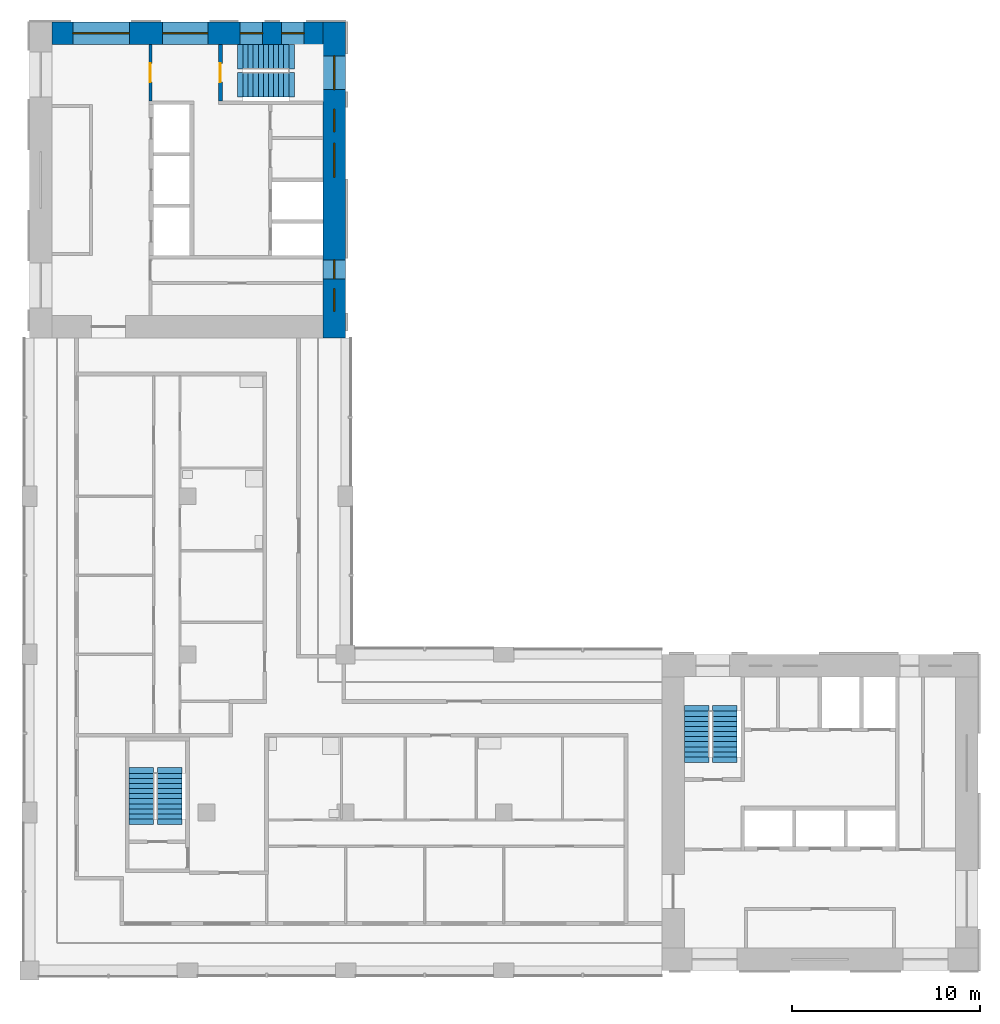
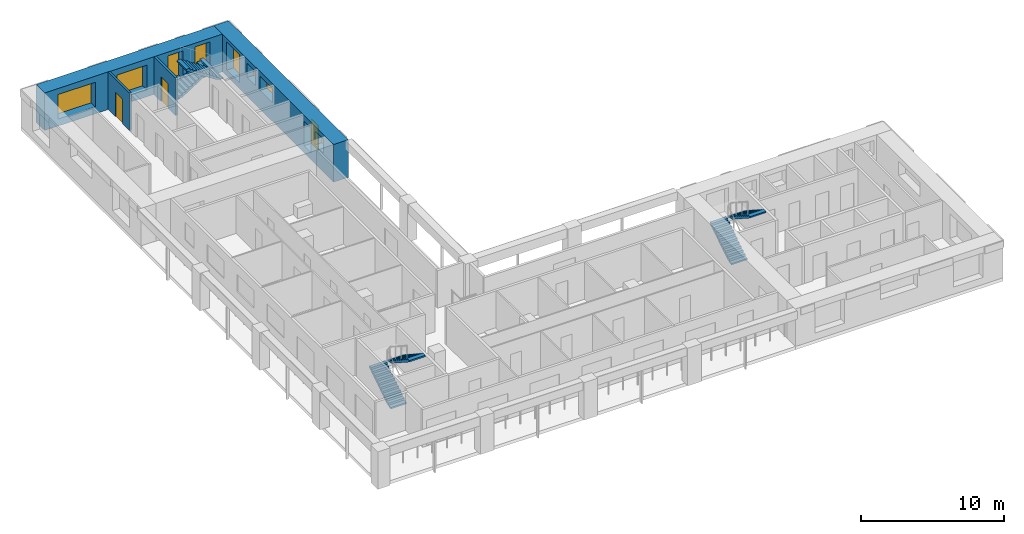
# One storey, part 6 of 9: 9 windows, 6 stair flights, 4 walls, 2 doors, 11 openings, 3 elements without a shape of their own.
"""IFC4 building model written with IfcOpenShell, lengths in metres."""

from ifc_helpers import new_model, si_unit, direction, frame, frame_2d, origin, place, context, subcontext, project, spatial, polyline, rectangle, outline, extrude, material, layer, layer_set, type_object, element, fill, aggregate, save


model = new_model("IFC4")

# Units and contexts
model_context = context("Model", 3, precision=1e-05, world=origin(), true_north=direction((0.0, 1.0)))
body_context = subcontext(model_context, "Body", "Model", "MODEL_VIEW")
ifc_project = project(units=[si_unit("LENGTHUNIT", "METRE"), si_unit("AREAUNIT", "SQUARE_METRE"), si_unit("VOLUMEUNIT", "CUBIC_METRE"), si_unit("PLANEANGLEUNIT", "RADIAN"), si_unit("MASSUNIT", "GRAM", prefix="KILO")], contexts=[model_context])

# Site, building, storey
site_placement = place(None, origin())
site = spatial("IfcSite", under=ifc_project, at=site_placement, CompositionType="ELEMENT")
building_placement = place(site_placement, origin())
building = spatial("IfcBuilding", under=site, at=building_placement, Name="Vermilion Gate Residences", CompositionType="ELEMENT")
storey_placement = place(building_placement, frame((0.0, 0.0, 252.699951171875)))
storey = spatial("IfcBuildingStorey", under=building, at=storey_placement, Name="L66", CompositionType="ELEMENT", Elevation=252.699951171875)

# Wall, opening, door
ifc_material_1 = material(Name="Masonry blockwork", Category="masonry")
ifc_layer_1 = layer(ifc_material_1, 0.14990234375)
ifc_layer_set_1 = layer_set([ifc_layer_1], Name="BLOCKWORK PARTITION 150 EI 120")
wall_type_1 = type_object("IfcWallType", Name="BLOCKWORK PARTITION 150 EI 120", PredefinedType="PARTITIONING", material=ifc_layer_set_1)
wall_1_placement = place(storey_placement, frame((14.824951171875, 57.60009765625, 0.0), z_axis=(0.0, 0.0, 1.0), x_axis=(0.0, -1.0, 0.0)))
wall_1 = element("IfcWall", 1, at=wall_1_placement, inside=storey, type_object=wall_type_1, Name="Core room partition B66-VW-S", PredefinedType="PARTITIONING", context=body_context, shape_type="SweptSolid", body=[
    extrude(rectangle(XDim=3.0, YDim=0.14990234375, at=frame_2d((1.5, 0.0))), origin(), (0.0, 0.0, 1.0), 3.219970703125),
])
opening_1_placement = place(wall_1_placement, frame((1.0, 0.0, 0.0)))
opening_1 = element("IfcOpeningElement", 2, at=opening_1_placement, cuts=wall_1, Name="Opening DK66110", PredefinedType="OPENING", context=body_context, shape_type="SweptSolid", body=[
    extrude(rectangle(XDim=1.0, YDim=2.10009765625, at=frame_2d((0.5, 1.050048828125))), frame((0.0, 0.0849609375, 0.0), z_axis=(0.0, -1.0, 0.0), x_axis=(1.0, 0.0, 0.0)), (0.0, 0.0, 1.0), 0.169921875),
])
ifc_material_2 = material(Name="Steel", Category="steel")
door_type = type_object("IfcDoorType", Name="FIRE DOOR FD60 1000 X 2100", OperationType="SINGLE_SWING_LEFT", PredefinedType="DOOR", material=ifc_material_2)
door_1_placement = place(opening_1_placement, frame((1.0, 0.0, 0.0), z_axis=(0.0, 0.0, 1.0), x_axis=(-1.0, 0.0, 0.0)))
door_1 = element("IfcDoor", 3, at=door_1_placement, inside=storey, type_object=door_type, Name="Stair vestibule door B66", OperationType="SINGLE_SWING_RIGHT", OverallHeight=2.10009765625, OverallWidth=1.0, PredefinedType="DOOR", context=body_context, shape_type="SweptSolid", body=[
    extrude(rectangle(XDim=1.0, YDim=2.10009765625, at=frame_2d((0.5, 1.050048828125))), frame((0.0, 0.02490234375, 0.0), z_axis=(0.0, -1.0, 0.0), x_axis=(1.0, 0.0, 0.0)), (0.0, 0.0, 1.0), 0.050048828125),
])
fill(opening_1, door_1)

ifc_material_3 = material(Name="Concrete C60", Category="concrete")
ifc_layer_2 = layer(ifc_material_3, 0.199951171875)
ifc_layer_set_2 = layer_set([ifc_layer_2], Name="RC CORE INTERNAL WALL 200 C60")
wall_type_2 = type_object("IfcWallType", Name="RC CORE INTERNAL WALL 200 C60", PredefinedType="SHEAR", material=ifc_layer_set_2)
wall_2_placement = place(storey_placement, frame((18.550048828125, 57.60009765625, 0.0), z_axis=(0.0, 0.0, 1.0), x_axis=(0.0, -1.0, 0.0)))
wall_2 = element("IfcWall", 4, at=wall_2_placement, inside=storey, type_object=wall_type_2, Name="Core internal wall B66-STW-S", PredefinedType="SHEAR", context=body_context, shape_type="SweptSolid", body=[
    extrude(rectangle(XDim=3.0, YDim=0.199951171875, at=frame_2d((1.5, 0.0))), origin(), (0.0, 0.0, 1.0), 3.219970703125),
])
opening_2_placement = place(wall_2_placement, frame((1.0, 0.0, 0.0)))
opening_2 = element("IfcOpeningElement", 5, at=opening_2_placement, cuts=wall_2, Name="Opening DK66111", PredefinedType="OPENING", context=body_context, shape_type="SweptSolid", body=[
    extrude(rectangle(XDim=1.0, YDim=2.10009765625, at=frame_2d((0.5, 1.050048828125))), frame((0.0, 0.10986328125, 0.0), z_axis=(0.0, -1.0, 0.0), x_axis=(1.0, 0.0, 0.0)), (0.0, 0.0, 1.0), 0.219970703125),
])
door_2_placement = place(opening_2_placement, origin())
door_2 = element("IfcDoor", 6, at=door_2_placement, inside=storey, type_object=door_type, Name="Stair door B66", OperationType="SINGLE_SWING_LEFT", OverallHeight=2.10009765625, OverallWidth=1.0, PredefinedType="DOOR", context=body_context, shape_type="SweptSolid", body=[
    extrude(rectangle(XDim=1.0, YDim=2.10009765625, at=frame_2d((0.5, 1.050048828125))), frame((0.0, 0.02490234375, 0.0), z_axis=(0.0, -1.0, 0.0), x_axis=(1.0, 0.0, 0.0)), (0.0, 0.0, 1.0), 0.050048828125),
])
fill(opening_2, door_2)

# Wall, openings, windows
ifc_material_4 = material(Name="Concrete C50 red-oxide pigmented", Category="concrete")
ifc_layer_3 = layer(ifc_material_4, 1.199951171875)
ifc_layer_set_3 = layer_set([ifc_layer_3], Name="RC CORE WALL 1200 C50 RED OXIDE")
wall_type_3 = type_object("IfcWallType", Name="RC CORE WALL 1200 C50 RED OXIDE", PredefinedType="SHEAR", material=ifc_layer_set_3)
wall_3_placement = place(storey_placement, frame((24.60009765625, 58.800048828125, 0.0), z_axis=(0.0, 0.0, 1.0), x_axis=(0.0, -1.0, 0.0)))
wall_3 = element("IfcWall", 7, at=wall_3_placement, inside=storey, type_object=wall_type_3, Name="Core wall B66-OUT-B1", PredefinedType="SHEAR", context=body_context, shape_type="SweptSolid", body=[
    extrude(rectangle(XDim=16.800048828125, YDim=1.199951171875, at=frame_2d((8.39990234375, 0.0))), origin(), (0.0, 0.0, 1.0), 3.219970703125),
])
opening_3_placement = place(wall_3_placement, frame((1.800048828125, 0.0, 0.5)))
opening_3 = element("IfcOpeningElement", 8, at=opening_3_placement, cuts=wall_3, Name="Opening WKB6604", PredefinedType="OPENING", context=body_context, shape_type="SweptSolid", body=[
    extrude(rectangle(XDim=1.800048828125, YDim=2.39990234375, at=frame_2d((0.89990234375, 1.199951171875))), frame((0.0, 0.60986328125, 0.0), z_axis=(0.0, -1.0, 0.0), x_axis=(1.0, 0.0, 0.0)), (0.0, 0.0, 1.0), 1.219970703125),
])
opening_4_placement = place(wall_3_placement, frame((4.643798828125, 0.0, 1.60009765625)))
opening_4 = element("IfcOpeningElement", 9, at=opening_4_placement, cuts=wall_3, Name="Opening WKB6605", PredefinedType="OPENING", context=body_context, shape_type="SweptSolid", body=[
    extrude(rectangle(XDim=1.199951171875, YDim=1.199951171875, at=frame_2d((0.60009765625, 0.60009765625))), frame((0.0, 0.60986328125, 0.0), z_axis=(0.0, -1.0, 0.0), x_axis=(1.0, 0.0, 0.0)), (0.0, 0.0, 1.0), 1.219970703125),
])
opening_5_placement = place(wall_3_placement, frame((6.449951171875, 0.0, 1.60009765625)))
opening_5 = element("IfcOpeningElement", 10, at=opening_5_placement, cuts=wall_3, Name="Opening WKB6606", PredefinedType="OPENING", context=body_context, shape_type="SweptSolid", body=[
    extrude(rectangle(XDim=1.800048828125, YDim=1.199951171875, at=frame_2d((0.89990234375, 0.60009765625))), frame((0.0, 0.60986328125, 0.0), z_axis=(0.0, -1.0, 0.0), x_axis=(1.0, 0.0, 0.0)), (0.0, 0.0, 1.0), 1.219970703125),
])
opening_6_placement = place(wall_3_placement, frame((12.64990234375, 0.0, 0.60009765625)))
opening_6 = element("IfcOpeningElement", 11, at=opening_6_placement, cuts=wall_3, Name="Opening WKB6607", PredefinedType="OPENING", context=body_context, shape_type="SweptSolid", body=[
    extrude(rectangle(XDim=1.0, YDim=2.10009765625, at=frame_2d((0.5, 1.050048828125))), frame((0.0, 0.60986328125, 0.0), z_axis=(0.0, -1.0, 0.0), x_axis=(1.0, 0.0, 0.0)), (0.0, 0.0, 1.0), 1.219970703125),
])
opening_7_placement = place(wall_3_placement, frame((14.175048828125, 0.0, 1.60009765625)))
opening_7 = element("IfcOpeningElement", 12, at=opening_7_placement, cuts=wall_3, Name="Opening WKB6608", PredefinedType="OPENING", context=body_context, shape_type="SweptSolid", body=[
    extrude(rectangle(XDim=1.199951171875, YDim=1.199951171875, at=frame_2d((0.60009765625, 0.60009765625))), frame((0.0, 0.60986328125, 0.0), z_axis=(0.0, -1.0, 0.0), x_axis=(1.0, 0.0, 0.0)), (0.0, 0.0, 1.0), 1.219970703125),
])
ifc_material_5 = material(Name="Aluminium and clear glass", Category="aluminium")
window_type_1 = type_object("IfcWindowType", Name="CORE CORRIDOR WINDOW 1000 X 2100", PartitioningType="SINGLE_PANEL", PredefinedType="WINDOW", material=ifc_material_5)
window_1_placement = place(opening_6_placement, origin())
window_1 = element("IfcWindow", 13, at=window_1_placement, inside=storey, type_object=window_type_1, Name="Core corridor window", OverallHeight=2.10009765625, OverallWidth=1.0, PartitioningType="SINGLE_PANEL", PredefinedType="WINDOW", context=body_context, shape_type="SweptSolid", body=[
    extrude(rectangle(XDim=1.0, YDim=2.10009765625, at=frame_2d((0.5, 1.050048828125))), frame((0.0, 0.030029296875, 0.0), z_axis=(0.0, -1.0, 0.0), x_axis=(1.0, 0.0, 0.0)), (0.0, 0.0, 1.0), 0.06005859375),
])
fill(opening_6, window_1)
ifc_material_6 = material(Name="Aluminium frame with louvre blades", Category="aluminium")
window_type_2 = type_object("IfcWindowType", Name="CORE LOUVRE 1200 X 1200", PartitioningType="SINGLE_PANEL", PredefinedType="WINDOW", material=ifc_material_6)
window_2_placement = place(opening_4_placement, origin())
window_2 = element("IfcWindow", 14, at=window_2_placement, inside=storey, type_object=window_type_2, Name="Core louvre", OverallHeight=1.199951171875, OverallWidth=1.199951171875, PartitioningType="SINGLE_PANEL", PredefinedType="WINDOW", context=body_context, shape_type="SweptSolid", body=[
    extrude(rectangle(XDim=1.199951171875, YDim=1.199951171875, at=frame_2d((0.60009765625, 0.60009765625))), frame((0.0, 0.030029296875, 0.0), z_axis=(0.0, -1.0, 0.0), x_axis=(1.0, 0.0, 0.0)), (0.0, 0.0, 1.0), 0.06005859375),
])
fill(opening_4, window_2)
window_3_placement = place(opening_7_placement, origin())
window_3 = element("IfcWindow", 15, at=window_3_placement, inside=storey, type_object=window_type_2, Name="Core louvre", OverallHeight=1.199951171875, OverallWidth=1.199951171875, PartitioningType="SINGLE_PANEL", PredefinedType="WINDOW", context=body_context, shape_type="SweptSolid", body=[
    extrude(rectangle(XDim=1.199951171875, YDim=1.199951171875, at=frame_2d((0.60009765625, 0.60009765625))), frame((0.0, 0.030029296875, 0.0), z_axis=(0.0, -1.0, 0.0), x_axis=(1.0, 0.0, 0.0)), (0.0, 0.0, 1.0), 0.06005859375),
])
fill(opening_7, window_3)
ifc_material_7 = material(Name="Aluminium frame with louvre blades", Category="aluminium")
window_type_3 = type_object("IfcWindowType", Name="CORE LOUVRE 1800 X 1200", PartitioningType="SINGLE_PANEL", PredefinedType="WINDOW", material=ifc_material_7)
window_4_placement = place(opening_5_placement, origin())
window_4 = element("IfcWindow", 16, at=window_4_placement, inside=storey, type_object=window_type_3, Name="Core louvre", OverallHeight=1.199951171875, OverallWidth=1.800048828125, PartitioningType="SINGLE_PANEL", PredefinedType="WINDOW", context=body_context, shape_type="SweptSolid", body=[
    extrude(rectangle(XDim=1.800048828125, YDim=1.199951171875, at=frame_2d((0.89990234375, 0.60009765625))), frame((0.0, 0.030029296875, 0.0), z_axis=(0.0, -1.0, 0.0), x_axis=(1.0, 0.0, 0.0)), (0.0, 0.0, 1.0), 0.06005859375),
])
fill(opening_5, window_4)
ifc_material_8 = material(Name="Aluminium and clear glass", Category="aluminium")
window_type_4 = type_object("IfcWindowType", Name="CORE STAIR WINDOW 1800 X 2400", PartitioningType="SINGLE_PANEL", PredefinedType="WINDOW", material=ifc_material_8)
window_5_placement = place(opening_3_placement, origin())
window_5 = element("IfcWindow", 17, at=window_5_placement, inside=storey, type_object=window_type_4, Name="Core stair window", OverallHeight=2.39990234375, OverallWidth=1.800048828125, PartitioningType="SINGLE_PANEL", PredefinedType="WINDOW", context=body_context, shape_type="SweptSolid", body=[
    extrude(rectangle(XDim=1.800048828125, YDim=2.39990234375, at=frame_2d((0.89990234375, 1.199951171875))), frame((0.0, 0.030029296875, 0.0), z_axis=(0.0, -1.0, 0.0), x_axis=(1.0, 0.0, 0.0)), (0.0, 0.0, 1.0), 0.06005859375),
])
fill(opening_3, window_5)

wall_4_placement = place(storey_placement, frame((9.60009765625, 58.199951171875, 0.0), z_axis=(0.0, 0.0, 1.0), x_axis=(1.0, 0.0, 0.0)))
wall_4 = element("IfcWall", 18, at=wall_4_placement, inside=storey, type_object=wall_type_3, Name="Core wall B66-OUT-FR", PredefinedType="SHEAR", context=body_context, shape_type="SweptSolid", body=[
    extrude(rectangle(XDim=14.39990234375, YDim=1.199951171875, at=frame_2d((7.199951171875, 0.0))), origin(), (0.0, 0.0, 1.0), 3.219970703125),
])
opening_8_placement = place(wall_4_placement, frame((1.10498046875, 0.0, 0.60009765625)))
opening_8 = element("IfcOpeningElement", 19, at=opening_8_placement, cuts=wall_4, Name="Opening WKB6609", PredefinedType="OPENING", context=body_context, shape_type="SweptSolid", body=[
    extrude(rectangle(XDim=3.0, YDim=2.10009765625, at=frame_2d((1.5, 1.050048828125))), frame((0.0, 0.60986328125, 0.0), z_axis=(0.0, -1.0, 0.0), x_axis=(1.0, 0.0, 0.0)), (0.0, 0.0, 1.0), 1.219970703125),
])
opening_9_placement = place(wall_4_placement, frame((5.875, 0.0, 0.60009765625)))
opening_9 = element("IfcOpeningElement", 20, at=opening_9_placement, cuts=wall_4, Name="Opening WKB6610", PredefinedType="OPENING", context=body_context, shape_type="SweptSolid", body=[
    extrude(rectangle(XDim=2.39990234375, YDim=2.10009765625, at=frame_2d((1.199951171875, 1.050048828125))), frame((0.0, 0.60986328125, 0.0), z_axis=(0.0, -1.0, 0.0), x_axis=(1.0, 0.0, 0.0)), (0.0, 0.0, 1.0), 1.219970703125),
])
opening_10_placement = place(wall_4_placement, frame((9.993408203125, 0.0, 0.5)))
opening_10 = element("IfcOpeningElement", 21, at=opening_10_placement, cuts=wall_4, Name="Opening WKB6611", PredefinedType="OPENING", context=body_context, shape_type="SweptSolid", body=[
    extrude(rectangle(XDim=1.199951171875, YDim=2.39990234375, at=frame_2d((0.60009765625, 1.199951171875))), frame((0.0, 0.60986328125, 0.0), z_axis=(0.0, -1.0, 0.0), x_axis=(1.0, 0.0, 0.0)), (0.0, 0.0, 1.0), 1.219970703125),
])
opening_11_placement = place(wall_4_placement, frame((12.19677734375, 0.0, 0.5)))
opening_11 = element("IfcOpeningElement", 22, at=opening_11_placement, cuts=wall_4, Name="Opening WKB6612", PredefinedType="OPENING", context=body_context, shape_type="SweptSolid", body=[
    extrude(rectangle(XDim=1.199951171875, YDim=2.39990234375, at=frame_2d((0.60009765625, 1.199951171875))), frame((0.0, 0.60986328125, 0.0), z_axis=(0.0, -1.0, 0.0), x_axis=(1.0, 0.0, 0.0)), (0.0, 0.0, 1.0), 1.219970703125),
])
ifc_material_9 = material(Name="Aluminium and clear glass", Category="aluminium")
window_type_5 = type_object("IfcWindowType", Name="CORE LOBBY WINDOW 2400 X 2100", PartitioningType="SINGLE_PANEL", PredefinedType="WINDOW", material=ifc_material_9)
window_6_placement = place(opening_9_placement, origin())
window_6 = element("IfcWindow", 23, at=window_6_placement, inside=storey, type_object=window_type_5, Name="Core lobby window", OverallHeight=2.10009765625, OverallWidth=2.39990234375, PartitioningType="SINGLE_PANEL", PredefinedType="WINDOW", context=body_context, shape_type="SweptSolid", body=[
    extrude(rectangle(XDim=2.39990234375, YDim=2.10009765625, at=frame_2d((1.199951171875, 1.050048828125))), frame((0.0, 0.030029296875, 0.0), z_axis=(0.0, -1.0, 0.0), x_axis=(1.0, 0.0, 0.0)), (0.0, 0.0, 1.0), 0.06005859375),
])
fill(opening_9, window_6)
ifc_material_10 = material(Name="Aluminium and clear glass", Category="aluminium")
window_type_6 = type_object("IfcWindowType", Name="CORE LOBBY WINDOW 3000 X 2100", PartitioningType="SINGLE_PANEL", PredefinedType="WINDOW", material=ifc_material_10)
window_7_placement = place(opening_8_placement, origin())
window_7 = element("IfcWindow", 24, at=window_7_placement, inside=storey, type_object=window_type_6, Name="Core lobby window", OverallHeight=2.10009765625, OverallWidth=3.0, PartitioningType="SINGLE_PANEL", PredefinedType="WINDOW", context=body_context, shape_type="SweptSolid", body=[
    extrude(rectangle(XDim=3.0, YDim=2.10009765625, at=frame_2d((1.5, 1.050048828125))), frame((0.0, 0.030029296875, 0.0), z_axis=(0.0, -1.0, 0.0), x_axis=(1.0, 0.0, 0.0)), (0.0, 0.0, 1.0), 0.06005859375),
])
fill(opening_8, window_7)
ifc_material_11 = material(Name="Aluminium and clear glass", Category="aluminium")
window_type_7 = type_object("IfcWindowType", Name="CORE STAIR WINDOW 1200 X 2400", PartitioningType="SINGLE_PANEL", PredefinedType="WINDOW", material=ifc_material_11)
window_8_placement = place(opening_10_placement, origin())
window_8 = element("IfcWindow", 25, at=window_8_placement, inside=storey, type_object=window_type_7, Name="Core stair window", OverallHeight=2.39990234375, OverallWidth=1.199951171875, PartitioningType="SINGLE_PANEL", PredefinedType="WINDOW", context=body_context, shape_type="SweptSolid", body=[
    extrude(rectangle(XDim=1.199951171875, YDim=2.39990234375, at=frame_2d((0.60009765625, 1.199951171875))), frame((0.0, 0.030029296875, 0.0), z_axis=(0.0, -1.0, 0.0), x_axis=(1.0, 0.0, 0.0)), (0.0, 0.0, 1.0), 0.06005859375),
])
fill(opening_10, window_8)
window_9_placement = place(opening_11_placement, origin())
window_9 = element("IfcWindow", 26, at=window_9_placement, inside=storey, type_object=window_type_7, Name="Core stair window", OverallHeight=2.39990234375, OverallWidth=1.199951171875, PartitioningType="SINGLE_PANEL", PredefinedType="WINDOW", context=body_context, shape_type="SweptSolid", body=[
    extrude(rectangle(XDim=1.199951171875, YDim=2.39990234375, at=frame_2d((0.60009765625, 1.199951171875))), frame((0.0, 0.030029296875, 0.0), z_axis=(0.0, -1.0, 0.0), x_axis=(1.0, 0.0, 0.0)), (0.0, 0.0, 1.0), 0.06005859375),
])
fill(opening_11, window_9)

# Stair, stair flights
ifc_material_12 = material(Name="Concrete C50", Category="concrete")
stair_type = type_object("IfcStairType", Name="SPECIAL ESCAPE STAIR 1300", PredefinedType="HALF_TURN_STAIR", material=ifc_material_12)
stair_1_placement = place(storey_placement, origin())
stair_1 = element("IfcStair", 27, at=stair_1_placement, inside=storey, type_object=stair_type, Name="Special escape stair STA1-66", PredefinedType="HALF_TURN_STAIR")
ifc_material_13 = material(Name="Concrete C50", Category="concrete")
stair_flight_type = type_object("IfcStairFlightType", Name="STAIR FLIGHT 1300 RC C50", PredefinedType="STRAIGHT", material=ifc_material_13)
stair_flight_1_placement = place(storey_placement, frame((43.85009765625, 19.75, 0.0), z_axis=(0.0, 0.0, 1.0), x_axis=(0.0, 1.0, 0.0)))
stair_flight_1 = element("IfcStairFlight", 28, at=stair_flight_1_placement, type_object=stair_flight_type, Name="STA1-66 flight 1", NumberOfRisers=10, NumberOfTreads=9, PredefinedType="STRAIGHT", RiserHeight=0.175, TreadLength=0.27, context=body_context, shape_type="SweptSolid", body=[
    extrude(outline(polyline([(-0.300048828125, -0.14990234375), (-0.300048828125, -0.030029296875), (0.0, 0.0), (0.0, 0.175048828125), (0.27001953125, 0.175048828125), (0.27001953125, 0.35009765625), (0.5400390625, 0.35009765625), (0.5400390625, 0.52490234375), (0.81005859375, 0.52490234375), (0.81005859375, 0.699951171875), (1.080078125, 0.699951171875), (1.080078125, 0.875), (1.35009765625, 0.875), (1.35009765625, 1.050048828125), (1.6201171875, 1.050048828125), (1.6201171875, 1.22509765625), (1.889892578125, 1.22509765625), (1.889892578125, 1.39990234375), (2.159912109375, 1.39990234375), (2.159912109375, 1.574951171875), (2.429931640625, 1.574951171875), (2.429931640625, 1.75), (2.72998046875, 1.719970703125), (2.72998046875, 1.60009765625), (2.429931640625, 1.396484375), (0.275634765625, 0.0), (-0.300048828125, -0.14990234375)])), frame((0.0, 0.64990234375, 0.0), z_axis=(0.0, -1.0, 0.0), x_axis=(1.0, 0.0, 0.0)), (0.0, 0.0, 1.0), 1.300048828125),
])
stair_flight_2_placement = place(storey_placement, frame((45.35009765625, 22.179931640625, 1.75), z_axis=(0.0, 0.0, 1.0), x_axis=(0.0, -1.0, 0.0)))
stair_flight_2 = element("IfcStairFlight", 29, at=stair_flight_2_placement, type_object=stair_flight_type, Name="STA1-66 flight 2", NumberOfRisers=10, NumberOfTreads=9, PredefinedType="STRAIGHT", RiserHeight=0.175, TreadLength=0.27, context=body_context, shape_type="SweptSolid", body=[
    extrude(outline(polyline([(-0.300048828125, -0.14990234375), (-0.300048828125, -0.030029296875), (0.0, 0.0), (0.0, 0.175048828125), (0.27001953125, 0.175048828125), (0.27001953125, 0.35009765625), (0.5400390625, 0.35009765625), (0.5400390625, 0.52490234375), (0.81005859375, 0.52490234375), (0.81005859375, 0.699951171875), (1.080078125, 0.699951171875), (1.080078125, 0.875), (1.35009765625, 0.875), (1.35009765625, 1.050048828125), (1.6201171875, 1.050048828125), (1.6201171875, 1.22509765625), (1.889892578125, 1.22509765625), (1.889892578125, 1.39990234375), (2.159912109375, 1.39990234375), (2.159912109375, 1.574951171875), (2.429931640625, 1.574951171875), (2.429931640625, 1.75), (2.72998046875, 1.719970703125), (2.72998046875, 1.60009765625), (2.429931640625, 1.396484375), (0.275634765625, 0.0), (-0.300048828125, -0.14990234375)])), frame((0.0, 0.64990234375, 0.0), z_axis=(0.0, -1.0, 0.0), x_axis=(1.0, 0.0, 0.0)), (0.0, 0.0, 1.0), 1.300048828125),
])
aggregate(stair_1, [stair_flight_1, stair_flight_2])

stair_2_placement = place(storey_placement, origin())
stair_2 = element("IfcStair", 30, at=stair_2_placement, inside=storey, type_object=stair_type, Name="Special escape stair STB1-66", PredefinedType="HALF_TURN_STAIR")
stair_flight_3_placement = place(storey_placement, frame((19.75, 56.949951171875, 0.0), z_axis=(0.0, 0.0, 1.0), x_axis=(1.0, 0.0, 0.0)))
stair_flight_3 = element("IfcStairFlight", 31, at=stair_flight_3_placement, type_object=stair_flight_type, Name="STB1-66 flight 1", NumberOfRisers=10, NumberOfTreads=9, PredefinedType="STRAIGHT", RiserHeight=0.175, TreadLength=0.27, context=body_context, shape_type="SweptSolid", body=[
    extrude(outline(polyline([(-0.300048828125, -0.14990234375), (-0.300048828125, -0.030029296875), (0.0, 0.0), (0.0, 0.175048828125), (0.27001953125, 0.175048828125), (0.27001953125, 0.35009765625), (0.5400390625, 0.35009765625), (0.5400390625, 0.52490234375), (0.81005859375, 0.52490234375), (0.81005859375, 0.699951171875), (1.080078125, 0.699951171875), (1.080078125, 0.875), (1.35009765625, 0.875), (1.35009765625, 1.050048828125), (1.6201171875, 1.050048828125), (1.6201171875, 1.22509765625), (1.889892578125, 1.22509765625), (1.889892578125, 1.39990234375), (2.159912109375, 1.39990234375), (2.159912109375, 1.574951171875), (2.429931640625, 1.574951171875), (2.429931640625, 1.75), (2.72998046875, 1.719970703125), (2.72998046875, 1.60009765625), (2.429931640625, 1.396484375), (0.275634765625, 0.0), (-0.300048828125, -0.14990234375)])), frame((0.0, 0.64990234375, 0.0), z_axis=(0.0, -1.0, 0.0), x_axis=(1.0, 0.0, 0.0)), (0.0, 0.0, 1.0), 1.300048828125),
])
stair_flight_4_placement = place(storey_placement, frame((22.179931640625, 55.449951171875, 1.75), z_axis=(0.0, 0.0, 1.0), x_axis=(-1.0, 0.0, 0.0)))
stair_flight_4 = element("IfcStairFlight", 32, at=stair_flight_4_placement, type_object=stair_flight_type, Name="STB1-66 flight 2", NumberOfRisers=10, NumberOfTreads=9, PredefinedType="STRAIGHT", RiserHeight=0.175, TreadLength=0.27, context=body_context, shape_type="SweptSolid", body=[
    extrude(outline(polyline([(-0.300048828125, -0.14990234375), (-0.300048828125, -0.030029296875), (0.0, 0.0), (0.0, 0.175048828125), (0.27001953125, 0.175048828125), (0.27001953125, 0.35009765625), (0.5400390625, 0.35009765625), (0.5400390625, 0.52490234375), (0.81005859375, 0.52490234375), (0.81005859375, 0.699951171875), (1.080078125, 0.699951171875), (1.080078125, 0.875), (1.35009765625, 0.875), (1.35009765625, 1.050048828125), (1.6201171875, 1.050048828125), (1.6201171875, 1.22509765625), (1.889892578125, 1.22509765625), (1.889892578125, 1.39990234375), (2.159912109375, 1.39990234375), (2.159912109375, 1.574951171875), (2.429931640625, 1.574951171875), (2.429931640625, 1.75), (2.72998046875, 1.719970703125), (2.72998046875, 1.60009765625), (2.429931640625, 1.396484375), (0.275634765625, 0.0), (-0.300048828125, -0.14990234375)])), frame((0.0, 0.64990234375, 0.0), z_axis=(0.0, -1.0, 0.0), x_axis=(1.0, 0.0, 0.0)), (0.0, 0.0, 1.0), 1.300048828125),
])
aggregate(stair_2, [stair_flight_3, stair_flight_4])

stair_3_placement = place(storey_placement, origin())
stair_3 = element("IfcStair", 33, at=stair_3_placement, inside=storey, type_object=stair_type, Name="Special escape stair STC1-66", PredefinedType="HALF_TURN_STAIR")
stair_flight_5_placement = place(storey_placement, frame((14.35009765625, 16.449951171875, 0.0), z_axis=(0.0, 0.0, 1.0), x_axis=(0.0, 1.0, 0.0)))
stair_flight_5 = element("IfcStairFlight", 34, at=stair_flight_5_placement, type_object=stair_flight_type, Name="STC1-66 flight 1", NumberOfRisers=10, NumberOfTreads=9, PredefinedType="STRAIGHT", RiserHeight=0.175, TreadLength=0.27, context=body_context, shape_type="SweptSolid", body=[
    extrude(outline(polyline([(-0.300048828125, -0.14990234375), (-0.300048828125, -0.030029296875), (0.0, 0.0), (0.0, 0.175048828125), (0.27001953125, 0.175048828125), (0.27001953125, 0.35009765625), (0.5400390625, 0.35009765625), (0.5400390625, 0.52490234375), (0.81005859375, 0.52490234375), (0.81005859375, 0.699951171875), (1.080078125, 0.699951171875), (1.080078125, 0.875), (1.35009765625, 0.875), (1.35009765625, 1.050048828125), (1.6201171875, 1.050048828125), (1.6201171875, 1.22509765625), (1.889892578125, 1.22509765625), (1.889892578125, 1.39990234375), (2.159912109375, 1.39990234375), (2.159912109375, 1.574951171875), (2.429931640625, 1.574951171875), (2.429931640625, 1.75), (2.72998046875, 1.719970703125), (2.72998046875, 1.60009765625), (2.429931640625, 1.396484375), (0.275634765625, 0.0), (-0.300048828125, -0.14990234375)])), frame((0.0, 0.64990234375, 0.0), z_axis=(0.0, -1.0, 0.0), x_axis=(1.0, 0.0, 0.0)), (0.0, 0.0, 1.0), 1.300048828125),
])
stair_flight_6_placement = place(storey_placement, frame((15.85009765625, 18.8798828125, 1.75), z_axis=(0.0, 0.0, 1.0), x_axis=(0.0, -1.0, 0.0)))
stair_flight_6 = element("IfcStairFlight", 35, at=stair_flight_6_placement, type_object=stair_flight_type, Name="STC1-66 flight 2", NumberOfRisers=10, NumberOfTreads=9, PredefinedType="STRAIGHT", RiserHeight=0.175, TreadLength=0.27, context=body_context, shape_type="SweptSolid", body=[
    extrude(outline(polyline([(-0.300048828125, -0.14990234375), (-0.300048828125, -0.030029296875), (0.0, 0.0), (0.0, 0.175048828125), (0.27001953125, 0.175048828125), (0.27001953125, 0.35009765625), (0.5400390625, 0.35009765625), (0.5400390625, 0.52490234375), (0.81005859375, 0.52490234375), (0.81005859375, 0.699951171875), (1.080078125, 0.699951171875), (1.080078125, 0.875), (1.35009765625, 0.875), (1.35009765625, 1.050048828125), (1.6201171875, 1.050048828125), (1.6201171875, 1.22509765625), (1.889892578125, 1.22509765625), (1.889892578125, 1.39990234375), (2.159912109375, 1.39990234375), (2.159912109375, 1.574951171875), (2.429931640625, 1.574951171875), (2.429931640625, 1.75), (2.72998046875, 1.719970703125), (2.72998046875, 1.60009765625), (2.429931640625, 1.396484375), (0.275634765625, 0.0), (-0.300048828125, -0.14990234375)])), frame((0.0, 0.64990234375, 0.0), z_axis=(0.0, -1.0, 0.0), x_axis=(1.0, 0.0, 0.0)), (0.0, 0.0, 1.0), 1.300048828125),
])
aggregate(stair_3, [stair_flight_5, stair_flight_6])

save(model, "model.ifc")
